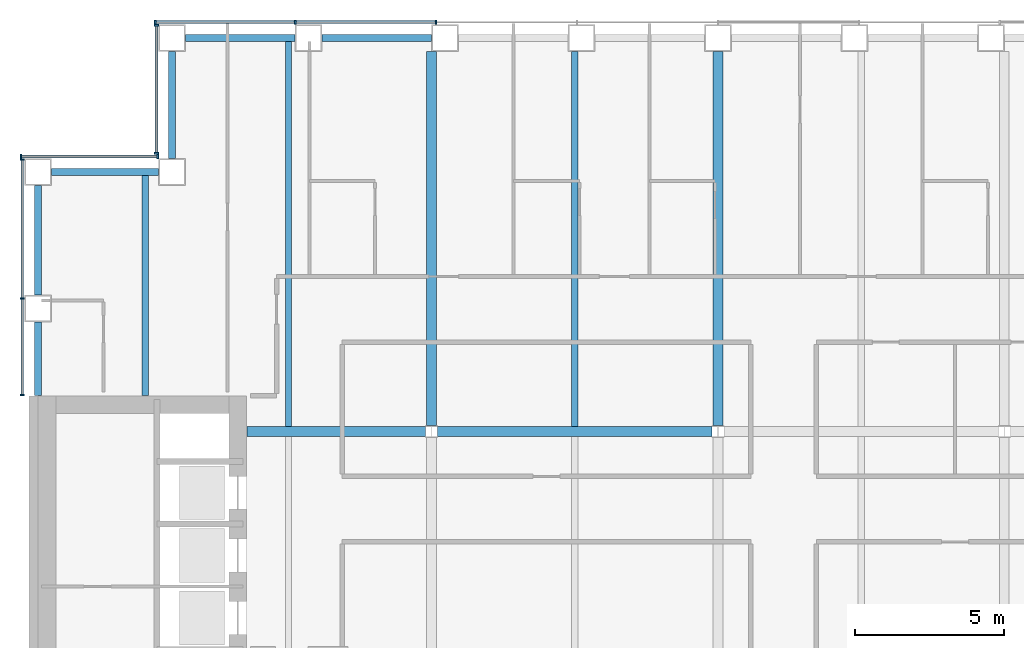
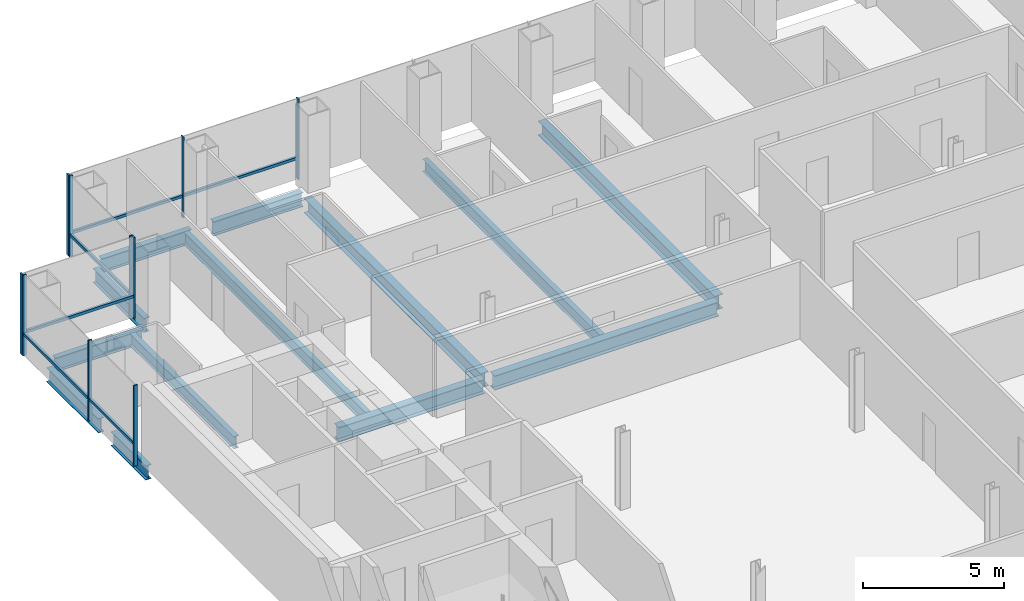
# One storey, part 6 of 16: 16 members, 13 beams, 4 elements without a shape of their own.
"""IFC4 building model written with IfcOpenShell, lengths in metres."""

from ifc_helpers import new_model, si_unit, direction, frame, origin, origin_2d, place, context, subcontext, project, spatial, rectangle, i_section, extrude, material, material_profile, profile_set, type_object, element, aggregate, save


model = new_model("IFC4")

# Units and contexts
model_context = context("Model", 3, precision=1e-05, world=origin(), true_north=direction((0.0, 1.0)))
body_context = subcontext(model_context, "Body", "Model", "MODEL_VIEW")
ifc_project = project(units=[si_unit("LENGTHUNIT", "METRE"), si_unit("AREAUNIT", "SQUARE_METRE"), si_unit("VOLUMEUNIT", "CUBIC_METRE"), si_unit("PLANEANGLEUNIT", "RADIAN"), si_unit("MASSUNIT", "GRAM", prefix="KILO")], contexts=[model_context])

# Site, building, storey
site_placement = place(None, origin())
site = spatial("IfcSite", under=ifc_project, at=site_placement, CompositionType="ELEMENT")
building_placement = place(site_placement, origin())
building = spatial("IfcBuilding", under=site, at=building_placement, Name="Cobrizo Arcos Hotel Tower", CompositionType="ELEMENT")
storey_placement = place(building_placement, frame((0.0, 0.0, 92.5)))
storey = spatial("IfcBuildingStorey", under=building, at=storey_placement, Name="L22", CompositionType="ELEMENT", Elevation=92.5)

# Curtain wall, members
ifc_material_1 = material(Name="Aluminium 6063-T6 anodised bronze", Category="aluminium")
curtain_wall_type = type_object("IfcCurtainWallType", Name="CW-A guest facade", PredefinedType="NOTDEFINED", material=ifc_material_1)
curtain_wall_1_placement = place(storey_placement, origin())
curtain_wall_1 = element("IfcCurtainWall", 1, at=curtain_wall_1_placement, inside=storey, type_object=curtain_wall_type, Name="CW-A L22 N face", PredefinedType="NOTDEFINED")
ifc_material_profile_1 = material_profile(ifc_material_1, rectangle(XDim=0.14990234375, YDim=0.06005859375, at=origin_2d()), Name="CW-A mullion 150x60")
ifc_profile_set_1 = profile_set([ifc_material_profile_1], Name="Aluminium 6063-T6 anodised bronze")
member_type_1 = type_object("IfcMemberType", Name="CW-A mullion 150x60", PredefinedType="MULLION", material=ifc_profile_set_1)
member_1_placement = place(storey_placement, frame((-9.449951171875, 23.324951171875, 0.0), z_axis=(0.0, 0.0, 1.0), x_axis=(0.0, 1.0, 0.0)))
member_1 = element("IfcMember", 2, at=member_1_placement, type_object=member_type_1, Name="CW-A mullion 7", PredefinedType="MULLION", context=body_context, shape_type="SweptSolid", body=[
    extrude(rectangle(XDim=0.14990234375, YDim=0.06005859375, at=origin_2d()), origin(), (0.0, 0.0, 1.0), 3.5),
])
member_2_placement = place(storey_placement, frame((-14.175048828125, 23.324951171875, 0.0), z_axis=(0.0, 0.0, 1.0), x_axis=(0.0, 1.0, 0.0)))
member_2 = element("IfcMember", 3, at=member_2_placement, type_object=member_type_1, Name="CW-A mullion 8", PredefinedType="MULLION", context=body_context, shape_type="SweptSolid", body=[
    extrude(rectangle(XDim=0.14990234375, YDim=0.06005859375, at=origin_2d()), origin(), (0.0, 0.0, 1.0), 3.5),
])
member_3_placement = place(storey_placement, frame((-18.8701171875, 23.324951171875, 0.0), z_axis=(0.0, 0.0, 1.0), x_axis=(0.0, 1.0, 0.0)))
member_3 = element("IfcMember", 4, at=member_3_placement, type_object=member_type_1, Name="CW-A mullion 9", PredefinedType="MULLION", context=body_context, shape_type="SweptSolid", body=[
    extrude(rectangle(XDim=0.14990234375, YDim=0.06005859375, at=origin_2d()), origin(), (0.0, 0.0, 1.0), 3.5),
])

curtain_wall_2_placement = place(storey_placement, origin())
curtain_wall_2 = element("IfcCurtainWall", 5, at=curtain_wall_2_placement, inside=storey, type_object=curtain_wall_type, Name="CW-A L22 W face", PredefinedType="NOTDEFINED")
member_4_placement = place(storey_placement, frame((-18.824951171875, 23.219970703125, 0.0), z_axis=(0.0, 0.0, 1.0), x_axis=(-1.0, 0.0, 0.0)))
member_4 = element("IfcMember", 6, at=member_4_placement, type_object=member_type_1, Name="CW-A mullion 1", PredefinedType="MULLION", context=body_context, shape_type="SweptSolid", body=[
    extrude(rectangle(XDim=0.14990234375, YDim=0.06005859375, at=origin_2d()), origin(), (0.0, 0.0, 1.0), 3.5),
])
member_5_placement = place(storey_placement, frame((-18.824951171875, 18.929931640625, 0.0), z_axis=(0.0, 0.0, 1.0), x_axis=(-1.0, 0.0, 0.0)))
member_5 = element("IfcMember", 7, at=member_5_placement, type_object=member_type_1, Name="CW-A mullion 2", PredefinedType="MULLION", context=body_context, shape_type="SweptSolid", body=[
    extrude(rectangle(XDim=0.14990234375, YDim=0.06005859375, at=origin_2d()), origin(), (0.0, 0.0, 1.0), 3.5),
])

curtain_wall_3_placement = place(storey_placement, origin())
curtain_wall_3 = element("IfcCurtainWall", 8, at=curtain_wall_3_placement, inside=storey, type_object=curtain_wall_type, Name="CW-A L22 N face", PredefinedType="NOTDEFINED")
member_6_placement = place(storey_placement, frame((-18.780029296875, 18.824951171875, 0.0), z_axis=(0.0, 0.0, 1.0), x_axis=(0.0, 1.0, 0.0)))
member_6 = element("IfcMember", 9, at=member_6_placement, type_object=member_type_1, Name="CW-A mullion 1", PredefinedType="MULLION", context=body_context, shape_type="SweptSolid", body=[
    extrude(rectangle(XDim=0.14990234375, YDim=0.06005859375, at=origin_2d()), origin(), (0.0, 0.0, 1.0), 3.5),
])
member_7_placement = place(storey_placement, frame((-23.3701171875, 18.824951171875, 0.0), z_axis=(0.0, 0.0, 1.0), x_axis=(0.0, 1.0, 0.0)))
member_7 = element("IfcMember", 10, at=member_7_placement, type_object=member_type_1, Name="CW-A mullion 2", PredefinedType="MULLION", context=body_context, shape_type="SweptSolid", body=[
    extrude(rectangle(XDim=0.14990234375, YDim=0.06005859375, at=origin_2d()), origin(), (0.0, 0.0, 1.0), 3.5),
])

curtain_wall_4_placement = place(storey_placement, origin())
curtain_wall_4 = element("IfcCurtainWall", 11, at=curtain_wall_4_placement, inside=storey, type_object=curtain_wall_type, Name="CW-A L22 W face", PredefinedType="NOTDEFINED")
member_8_placement = place(storey_placement, frame((-23.324951171875, 18.719970703125, 0.0), z_axis=(0.0, 0.0, 1.0), x_axis=(-1.0, 0.0, 0.0)))
member_8 = element("IfcMember", 12, at=member_8_placement, type_object=member_type_1, Name="CW-A mullion 1", PredefinedType="MULLION", context=body_context, shape_type="SweptSolid", body=[
    extrude(rectangle(XDim=0.14990234375, YDim=0.06005859375, at=origin_2d()), origin(), (0.0, 0.0, 1.0), 3.5),
])
member_9_placement = place(storey_placement, frame((-23.324951171875, 14.0625, 0.0), z_axis=(0.0, 0.0, 1.0), x_axis=(-1.0, 0.0, 0.0)))
member_9 = element("IfcMember", 13, at=member_9_placement, type_object=member_type_1, Name="CW-A mullion 2", PredefinedType="MULLION", context=body_context, shape_type="SweptSolid", body=[
    extrude(rectangle(XDim=0.14990234375, YDim=0.06005859375, at=origin_2d()), origin(), (0.0, 0.0, 1.0), 3.5),
])
member_10_placement = place(storey_placement, frame((-23.324951171875, 10.830078125, 0.0), z_axis=(0.0, 0.0, 1.0), x_axis=(-1.0, 0.0, 0.0)))
member_10 = element("IfcMember", 14, at=member_10_placement, type_object=member_type_1, Name="CW-A mullion 3", PredefinedType="MULLION", context=body_context, shape_type="SweptSolid", body=[
    extrude(rectangle(XDim=0.14990234375, YDim=0.06005859375, at=origin_2d()), origin(), (0.0, 0.0, 1.0), 3.5),
])

# Member
ifc_material_profile_2 = material_profile(ifc_material_1, rectangle(XDim=0.10009765625, YDim=0.1201171875, at=origin_2d()), Name="CW-A transom 120x100")
ifc_profile_set_2 = profile_set([ifc_material_profile_2], Name="Aluminium 6063-T6 anodised bronze")
member_type_2 = type_object("IfcMemberType", Name="CW-A transom 120x100", PredefinedType="USERDEFINED", material=ifc_profile_set_2)
member_11_placement = place(storey_placement, frame((-9.47998046875, 23.324951171875, 0.929931640625), z_axis=(-1.0, 0.0, 0.0), x_axis=(0.0, -1.0, 0.0)))
member_11 = element("IfcMember", 15, at=member_11_placement, type_object=member_type_2, Name="CW-A transom 905", ObjectType="TRANSOM", PredefinedType="USERDEFINED", context=body_context, shape_type="SweptSolid", body=[
    extrude(rectangle(XDim=0.10009765625, YDim=0.1201171875, at=origin_2d()), origin(), (0.0, 0.0, 1.0), 4.6650390625),
])

member_12_placement = place(storey_placement, frame((-14.205078125, 23.324951171875, 0.929931640625), z_axis=(-1.0, 0.0, 0.0), x_axis=(0.0, -1.0, 0.0)))
member_12 = element("IfcMember", 16, at=member_12_placement, type_object=member_type_2, Name="CW-A transom 906", ObjectType="TRANSOM", PredefinedType="USERDEFINED", context=body_context, shape_type="SweptSolid", body=[
    extrude(rectangle(XDim=0.10009765625, YDim=0.1201171875, at=origin_2d()), origin(), (0.0, 0.0, 1.0), 4.635009765625),
])

aggregate(curtain_wall_1, [member_1, member_2, member_3, member_11, member_12])

member_13_placement = place(storey_placement, frame((-18.824951171875, 23.18994140625, 0.929931640625), z_axis=(0.0, -1.0, 0.0), x_axis=(1.0, 0.0, 0.0)))
member_13 = element("IfcMember", 17, at=member_13_placement, type_object=member_type_2, Name="CW-A transom 907", ObjectType="TRANSOM", PredefinedType="USERDEFINED", context=body_context, shape_type="SweptSolid", body=[
    extrude(rectangle(XDim=0.10009765625, YDim=0.1201171875, at=origin_2d()), origin(), (0.0, 0.0, 1.0), 4.22998046875),
])

aggregate(curtain_wall_2, [member_4, member_5, member_13])

member_14_placement = place(storey_placement, frame((-18.81005859375, 18.824951171875, 0.929931640625), z_axis=(-1.0, 0.0, 0.0), x_axis=(0.0, -1.0, 0.0)))
member_14 = element("IfcMember", 18, at=member_14_placement, type_object=member_type_2, Name="CW-A transom 908", ObjectType="TRANSOM", PredefinedType="USERDEFINED", context=body_context, shape_type="SweptSolid", body=[
    extrude(rectangle(XDim=0.10009765625, YDim=0.1201171875, at=origin_2d()), origin(), (0.0, 0.0, 1.0), 4.530029296875),
])

aggregate(curtain_wall_3, [member_6, member_7, member_14])

member_15_placement = place(storey_placement, frame((-23.324951171875, 18.68994140625, 0.929931640625), z_axis=(0.0, -1.0, 0.0), x_axis=(1.0, 0.0, 0.0)))
member_15 = element("IfcMember", 19, at=member_15_placement, type_object=member_type_2, Name="CW-A transom 909", ObjectType="TRANSOM", PredefinedType="USERDEFINED", context=body_context, shape_type="SweptSolid", body=[
    extrude(rectangle(XDim=0.10009765625, YDim=0.1201171875, at=origin_2d()), origin(), (0.0, 0.0, 1.0), 4.597412109375),
])

member_16_placement = place(storey_placement, frame((-23.324951171875, 14.032470703125, 0.929931640625), z_axis=(0.0, -1.0, 0.0), x_axis=(1.0, 0.0, 0.0)))
member_16 = element("IfcMember", 20, at=member_16_placement, type_object=member_type_2, Name="CW-A transom 910", ObjectType="TRANSOM", PredefinedType="USERDEFINED", context=body_context, shape_type="SweptSolid", body=[
    extrude(rectangle(XDim=0.10009765625, YDim=0.1201171875, at=origin_2d()), origin(), (0.0, 0.0, 1.0), 3.17236328125),
])

aggregate(curtain_wall_4, [member_8, member_9, member_10, member_15, member_16])

# Beams
ifc_material_2 = material(Name="Steel ASTM A992 Grade 50", Category="steel")
ifc_material_profile_3 = material_profile(ifc_material_2, i_section(OverallWidth=0.209228515625, OverallDepth=0.533447265625, WebThickness=0.01025390625, FlangeThickness=0.015625, at=origin_2d()), Name="W21X62")
ifc_profile_set_3 = profile_set([ifc_material_profile_3], Name="Steel ASTM A992 Grade 50")
beam_type_1 = type_object("IfcBeamType", Name="W21X62 joist", PredefinedType="JOIST", material=ifc_profile_set_3)
beam_1_placement = place(storey_placement, frame((-19.199951171875, 10.81005859375, -0.416748046875), z_axis=(0.0, 1.0, 0.0), x_axis=(-1.0, 0.0, 0.0)))
element("IfcBeam", 21, at=beam_1_placement, inside=storey, type_object=beam_type_1, Name="Floor joist J1, L22, no. 002", PredefinedType="JOIST", context=body_context, shape_type="SweptSolid", body=[
    extrude(i_section(OverallWidth=0.209228515625, OverallDepth=0.533447265625, WebThickness=0.01025390625, FlangeThickness=0.015625, at=origin_2d()), origin(), (0.0, 0.0, 1.0), 7.39990234375),
])
beam_2_placement = place(storey_placement, frame((-14.39990234375, 9.763916015625, -0.416748046875), z_axis=(0.0, 1.0, 0.0), x_axis=(-1.0, 0.0, 0.0)))
element("IfcBeam", 22, at=beam_2_placement, inside=storey, type_object=beam_type_1, Name="Floor joist J1, L22, no. 006", PredefinedType="JOIST", context=body_context, shape_type="SweptSolid", body=[
    extrude(i_section(OverallWidth=0.209228515625, OverallDepth=0.533447265625, WebThickness=0.01025390625, FlangeThickness=0.015625, at=origin_2d()), origin(), (0.0, 0.0, 1.0), 12.946044921875),
])
beam_3_placement = place(storey_placement, frame((-4.800048828125, 9.763916015625, -0.416748046875), z_axis=(0.0, 1.0, 0.0), x_axis=(-1.0, 0.0, 0.0)))
element("IfcBeam", 23, at=beam_3_placement, inside=storey, type_object=beam_type_1, Name="Floor joist J1, L22, no. 010", PredefinedType="JOIST", context=body_context, shape_type="SweptSolid", body=[
    extrude(i_section(OverallWidth=0.209228515625, OverallDepth=0.533447265625, WebThickness=0.01025390625, FlangeThickness=0.015625, at=origin_2d()), origin(), (0.0, 0.0, 1.0), 12.586181640625),
])
ifc_material_profile_4 = material_profile(ifc_material_2, i_section(OverallWidth=0.32763671875, OverallDepth=0.622314453125, WebThickness=0.015380859375, FlangeThickness=0.0244140625, at=origin_2d()), Name="W24X131")
ifc_profile_set_4 = profile_set([ifc_material_profile_4], Name="Steel ASTM A992 Grade 50")
beam_type_2 = type_object("IfcBeamType", Name="W24X131 girder", PredefinedType="BEAM", material=ifc_profile_set_4)
beam_4_placement = place(storey_placement, frame((-15.7900390625, 9.60009765625, -0.461181640625), z_axis=(1.0, 0.0, 0.0), x_axis=(0.0, 1.0, 0.0)))
element("IfcBeam", 24, at=beam_4_placement, inside=storey, type_object=beam_type_2, Name="Floor girder G1, L22, no. 009", PredefinedType="BEAM", context=body_context, shape_type="SweptSolid", body=[
    extrude(i_section(OverallWidth=0.32763671875, OverallDepth=0.622314453125, WebThickness=0.015380859375, FlangeThickness=0.0244140625, at=origin_2d()), origin(), (0.0, 0.0, 1.0), 5.99072265625),
])
beam_5_placement = place(storey_placement, frame((-9.400634765625, 9.60009765625, -0.461181640625), z_axis=(1.0, 0.0, 0.0), x_axis=(0.0, 1.0, 0.0)))
element("IfcBeam", 25, at=beam_5_placement, inside=storey, type_object=beam_type_2, Name="Floor girder G1, L22, no. 010", PredefinedType="BEAM", context=body_context, shape_type="SweptSolid", body=[
    extrude(i_section(OverallWidth=0.32763671875, OverallDepth=0.622314453125, WebThickness=0.015380859375, FlangeThickness=0.0244140625, at=origin_2d()), origin(), (0.0, 0.0, 1.0), 9.201171875),
])
for number, where, z_axis, x_axis, name in (
    (26, (-9.60009765625, 9.79931640625, -0.461181640625), (0.0, 1.0, 0.0), (-1.0, 0.0, 0.0), "Floor girder G1, L22, no. 016"),
    (27, (0.0, 9.79931640625, -0.461181640625), (0.0, 1.0, 0.0), (-1.0, 0.0, 0.0), "Floor girder G1, L22, no. 020"),
):
    element("IfcBeam", number, at=place(storey_placement, frame(where, z_axis=z_axis, x_axis=x_axis)), inside=storey, type_object=beam_type_2, Name=name, PredefinedType="BEAM", context=body_context, shape_type="SweptSolid", body=[
        extrude(i_section(OverallWidth=0.32763671875, OverallDepth=0.622314453125, WebThickness=0.015380859375, FlangeThickness=0.0244140625, at=origin_2d()), origin(), (0.0, 0.0, 1.0), 12.55078125),
    ])
ifc_material_profile_5 = material_profile(ifc_material_2, i_section(OverallWidth=0.23046875, OverallDepth=0.6171875, WebThickness=0.01318359375, FlangeThickness=0.022216796875, at=origin_2d()), Name="W24X94")
ifc_profile_set_5 = profile_set([ifc_material_profile_5], Name="Steel ASTM A992 Grade 50")
beam_type_3 = type_object("IfcBeamType", Name="W24X94 spandrel", PredefinedType="SPANDREL", material=ifc_profile_set_5)
beam_6_placement = place(storey_placement, frame((-9.60009765625, 22.800048828125, -0.45849609375), z_axis=(-1.0, 0.0, 0.0), x_axis=(0.0, -1.0, 0.0)))
element("IfcBeam", 28, at=beam_6_placement, inside=storey, type_object=beam_type_3, Name="Spandrel beam W24X94, L22, no. 023", PredefinedType="SPANDREL", context=body_context, shape_type="SweptSolid", body=[
    extrude(i_section(OverallWidth=0.23046875, OverallDepth=0.6171875, WebThickness=0.01318359375, FlangeThickness=0.022216796875, at=origin_2d()), origin(), (0.0, 0.0, 1.0), 3.6748046875),
])
beam_7_placement = place(storey_placement, frame((-14.175048828125, 22.800048828125, -0.45849609375), z_axis=(-1.0, 0.0, 0.0), x_axis=(0.0, -1.0, 0.0)))
element("IfcBeam", 29, at=beam_7_placement, inside=storey, type_object=beam_type_3, Name="Spandrel beam W24X94, L22, no. 024", PredefinedType="SPANDREL", context=body_context, shape_type="SweptSolid", body=[
    extrude(i_section(OverallWidth=0.23046875, OverallDepth=0.6171875, WebThickness=0.01318359375, FlangeThickness=0.022216796875, at=origin_2d()), origin(), (0.0, 0.0, 1.0), 3.675048828125),
])
for number, where, z_axis, x_axis, name in (
    (30, (-18.300048828125, 22.35009765625, -0.45849609375), (0.0, -1.0, 0.0), (1.0, 0.0, 0.0), "Spandrel beam W24X94, L22, no. 025"),
    (31, (-18.75, 18.300048828125, -0.45849609375), (-1.0, 0.0, 0.0), (0.0, -1.0, 0.0), "Spandrel beam W24X94, L22, no. 026"),
):
    element("IfcBeam", number, at=place(storey_placement, frame(where, z_axis=z_axis, x_axis=x_axis)), inside=storey, type_object=beam_type_3, Name=name, PredefinedType="SPANDREL", context=body_context, shape_type="SweptSolid", body=[
        extrude(i_section(OverallWidth=0.23046875, OverallDepth=0.6171875, WebThickness=0.01318359375, FlangeThickness=0.022216796875, at=origin_2d()), origin(), (0.0, 0.0, 1.0), 3.60009765625),
    ])
beam_8_placement = place(storey_placement, frame((-22.800048828125, 17.85009765625, -0.45849609375), z_axis=(0.0, -1.0, 0.0), x_axis=(1.0, 0.0, 0.0)))
element("IfcBeam", 32, at=beam_8_placement, inside=storey, type_object=beam_type_3, Name="Spandrel beam W24X94, L22, no. 027", PredefinedType="SPANDREL", context=body_context, shape_type="SweptSolid", body=[
    extrude(i_section(OverallWidth=0.23046875, OverallDepth=0.6171875, WebThickness=0.01318359375, FlangeThickness=0.022216796875, at=origin_2d()), origin(), (0.0, 0.0, 1.0), 3.675048828125),
])
beam_9_placement = place(storey_placement, frame((-22.800048828125, 13.27490234375, -0.45849609375), z_axis=(0.0, -1.0, 0.0), x_axis=(1.0, 0.0, 0.0)))
element("IfcBeam", 33, at=beam_9_placement, inside=storey, type_object=beam_type_3, Name="Spandrel beam W24X94, L22, no. 028", PredefinedType="SPANDREL", context=body_context, shape_type="SweptSolid", body=[
    extrude(i_section(OverallWidth=0.23046875, OverallDepth=0.6171875, WebThickness=0.01318359375, FlangeThickness=0.022216796875, at=origin_2d()), origin(), (0.0, 0.0, 1.0), 2.46484375),
])

save(model, "model.ifc")
